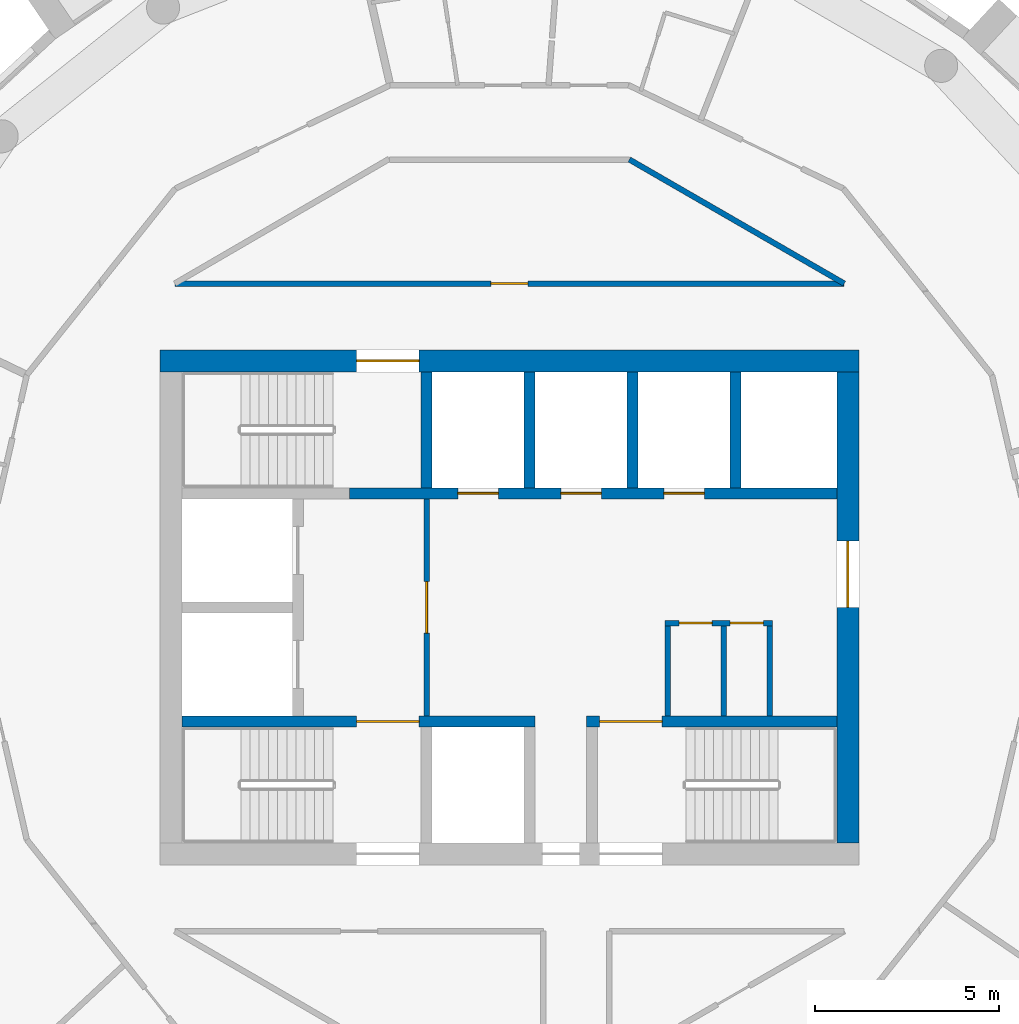
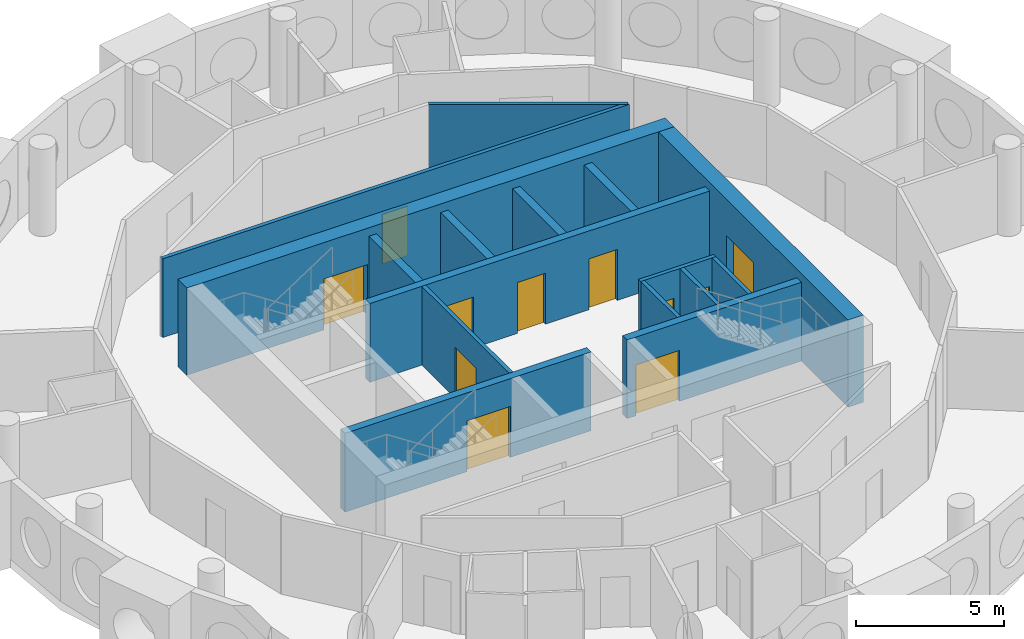
# One storey, part 8 of 13: 16 walls, 11 doors, 11 openings.
"""IFC4 building model written with IfcOpenShell, lengths in metres."""

from ifc_helpers import new_model, si_unit, direction, frame, frame_2d, origin, place, context, subcontext, project, spatial, rectangle, extrude, material, layer, layer_set, type_object, element, fill, save


model = new_model("IFC4")

# Units and contexts
model_context = context("Model", 3, precision=1e-05, world=origin(), true_north=direction((0.0, 1.0)))
body_context = subcontext(model_context, "Body", "Model", "MODEL_VIEW")
ifc_project = project(units=[si_unit("LENGTHUNIT", "METRE"), si_unit("AREAUNIT", "SQUARE_METRE"), si_unit("VOLUMEUNIT", "CUBIC_METRE"), si_unit("PLANEANGLEUNIT", "RADIAN"), si_unit("MASSUNIT", "GRAM", prefix="KILO")], contexts=[model_context])

# Site, building, storey
site_placement = place(None, origin())
site = spatial("IfcSite", under=ifc_project, at=site_placement, CompositionType="ELEMENT")
building_placement = place(site_placement, origin())
building = spatial("IfcBuilding", under=site, at=building_placement, Name="Tracery Tower", CompositionType="ELEMENT")
storey_placement = place(building_placement, frame((0.0, 0.0, 294.60009765625)))
storey = spatial("IfcBuildingStorey", under=building, at=storey_placement, Name="L76", CompositionType="ELEMENT", Elevation=294.60009765625)

# Wall, opening, door
ifc_material_1 = material(Name="Plasterboard on steel studs", Category="steel")
ifc_layer_1 = layer(ifc_material_1, 0.14990234375)
ifc_layer_set_1 = layer_set([ifc_layer_1], Name="Core lobby partition 150")
wall_type_1 = type_object("IfcWallType", Name="Core lobby partition 150", PredefinedType="SOLIDWALL", material=ifc_layer_set_1)
wall_1_placement = place(storey_placement, frame((-2.25, -2.949951171875, 0.0), z_axis=(0.0, 0.0, 1.0), x_axis=(0.0, 1.0, 0.0)))
wall_1 = element("IfcWall", 1, at=wall_1_placement, inside=storey, type_object=wall_type_1, Name="L76 FF lobby E", PredefinedType="SOLIDWALL", context=body_context, shape_type="SweptSolid", body=[
    extrude(rectangle(XDim=5.89990234375, YDim=0.14990234375, at=frame_2d((2.949951171875, 0.0))), origin(), (0.0, 0.0, 1.0), 3.25),
])
opening_1_placement = place(wall_1_placement, frame((2.25, 0.0, 0.0)))
opening_1 = element("IfcOpeningElement", 2, at=opening_1_placement, cuts=wall_1, Name="Opening KD8", PredefinedType="OPENING", context=body_context, shape_type="SweptSolid", body=[
    extrude(rectangle(XDim=1.39990234375, YDim=2.10009765625, at=frame_2d((0.699951171875, 1.050048828125))), frame((0.0, 0.074951171875, 0.0), z_axis=(0.0, -1.0, 0.0), x_axis=(1.0, 0.0, 0.0)), (0.0, 0.0, 1.0), 0.14990234375),
])
ifc_material_2 = material(Name="Steel fire door", Category="steel")
door_type_1 = type_object("IfcDoorType", Name="Core lobby door 1400 double", OperationType="NOTDEFINED", PredefinedType="DOOR", material=ifc_material_2)
door_1_placement = place(opening_1_placement, origin())
door_1 = element("IfcDoor", 3, at=door_1_placement, inside=storey, type_object=door_type_1, Name="Fire-fighting lobby door", OperationType="DOUBLE_DOOR_SINGLE_SWING", OverallHeight=2.10009765625, OverallWidth=1.39990234375, PredefinedType="DOOR", context=body_context, shape_type="SweptSolid", body=[
    extrude(rectangle(XDim=1.39990234375, YDim=2.10009765625, at=frame_2d((0.699951171875, 1.050048828125))), frame((0.0, 0.02490234375, 0.0), z_axis=(0.0, -1.0, 0.0), x_axis=(1.0, 0.0, 0.0)), (0.0, 0.0, 1.0), 0.050048828125),
])
fill(opening_1, door_1)

# Wall
ifc_material_3 = material(Name="Plasterboard on steel studs", Category="steel")
ifc_layer_2 = layer(ifc_material_3, 0.14990234375)
ifc_layer_set_2 = layer_set([ifc_layer_2], Name="Core room partition 150")
wall_type_2 = type_object("IfcWallType", Name="Core room partition 150", PredefinedType="SOLIDWALL", material=ifc_layer_set_2)
wall_2_placement = place(storey_placement, frame((4.300048828125, -2.949951171875, 0.0), z_axis=(0.0, 0.0, 1.0), x_axis=(0.0, 1.0, 0.0)))
element("IfcWall", 4, at=wall_2_placement, inside=storey, type_object=wall_type_2, Name="L76 slot W", PredefinedType="SOLIDWALL", context=body_context, shape_type="SweptSolid", body=[
    extrude(rectangle(XDim=2.449951171875, YDim=0.14990234375, at=frame_2d((1.22509765625, 0.0))), origin(), (0.0, 0.0, 1.0), 3.25),
])

# Wall, openings, doors
wall_3_placement = place(storey_placement, frame((4.22509765625, -0.425048828125, 0.0), z_axis=(0.0, 0.0, 1.0), x_axis=(1.0, 0.0, 0.0)))
wall_3 = element("IfcWall", 5, at=wall_3_placement, inside=storey, type_object=wall_type_2, Name="L76 slot N", PredefinedType="SOLIDWALL", context=body_context, shape_type="SweptSolid", body=[
    extrude(rectangle(XDim=2.9248046875, YDim=0.14990234375, at=frame_2d((1.46240234375, 0.0))), origin(), (0.0, 0.0, 1.0), 3.25),
])
opening_2_placement = place(wall_3_placement, frame((0.387451171875, 0.0, 0.0)))
opening_2 = element("IfcOpeningElement", 6, at=opening_2_placement, cuts=wall_3, Name="Opening KD22", PredefinedType="OPENING", context=body_context, shape_type="SweptSolid", body=[
    extrude(rectangle(XDim=0.89990234375, YDim=2.10009765625, at=frame_2d((0.449951171875, 1.050048828125))), frame((0.0, 0.074951171875, 0.0), z_axis=(0.0, -1.0, 0.0), x_axis=(1.0, 0.0, 0.0)), (0.0, 0.0, 1.0), 0.14990234375),
])
opening_3_placement = place(wall_3_placement, frame((1.77490234375, 0.0, 0.0)))
opening_3 = element("IfcOpeningElement", 7, at=opening_3_placement, cuts=wall_3, Name="Opening KD26", PredefinedType="OPENING", context=body_context, shape_type="SweptSolid", body=[
    extrude(rectangle(XDim=0.89990234375, YDim=2.10009765625, at=frame_2d((0.449951171875, 1.050048828125))), frame((0.0, 0.074951171875, 0.0), z_axis=(0.0, -1.0, 0.0), x_axis=(1.0, 0.0, 0.0)), (0.0, 0.0, 1.0), 0.14990234375),
])
ifc_material_4 = material(Name="Timber door leaf", Category="wood")
door_type_2 = type_object("IfcDoorType", Name="Core WC door 900", OperationType="NOTDEFINED", PredefinedType="DOOR", material=ifc_material_4)
door_2_placement = place(opening_2_placement, origin())
door_2 = element("IfcDoor", 8, at=door_2_placement, inside=storey, type_object=door_type_2, Name="Core door", OperationType="SINGLE_SWING_RIGHT", OverallHeight=2.10009765625, OverallWidth=0.89990234375, PredefinedType="DOOR", context=body_context, shape_type="SweptSolid", body=[
    extrude(rectangle(XDim=0.89990234375, YDim=2.10009765625, at=frame_2d((0.449951171875, 1.050048828125))), frame((0.0, 0.02490234375, 0.0), z_axis=(0.0, -1.0, 0.0), x_axis=(1.0, 0.0, 0.0)), (0.0, 0.0, 1.0), 0.050048828125),
])
fill(opening_2, door_2)
ifc_material_5 = material(Name="Timber door leaf", Category="wood")
door_type_3 = type_object("IfcDoorType", Name="Core store door 900", OperationType="NOTDEFINED", PredefinedType="DOOR", material=ifc_material_5)
door_3_placement = place(opening_3_placement, origin())
door_3 = element("IfcDoor", 9, at=door_3_placement, inside=storey, type_object=door_type_3, Name="Core door", OperationType="SINGLE_SWING_LEFT", OverallHeight=2.10009765625, OverallWidth=0.89990234375, PredefinedType="DOOR", context=body_context, shape_type="SweptSolid", body=[
    extrude(rectangle(XDim=0.89990234375, YDim=2.10009765625, at=frame_2d((0.449951171875, 1.050048828125))), frame((0.0, 0.02490234375, 0.0), z_axis=(0.0, -1.0, 0.0), x_axis=(1.0, 0.0, 0.0)), (0.0, 0.0, 1.0), 0.050048828125),
])
fill(opening_3, door_3)

# Walls
for number, where, z_axis, x_axis, name in (
    (10, (7.074951171875, -2.949951171875, 0.0), (0.0, 0.0, 1.0), (0.0, 1.0, 0.0), "L76 slot E"),
    (11, (5.824951171875, -2.949951171875, 0.0), (0.0, 0.0, 1.0), (0.0, 1.0, 0.0), "L76 slot sep 1"),
):
    element("IfcWall", number, at=place(storey_placement, frame(where, z_axis=z_axis, x_axis=x_axis)), inside=storey, type_object=wall_type_2, Name=name, PredefinedType="SOLIDWALL", context=body_context, shape_type="SweptSolid", body=[
        extrude(rectangle(XDim=2.449951171875, YDim=0.14990234375, at=frame_2d((1.22509765625, 0.0))), origin(), (0.0, 0.0, 1.0), 3.25),
    ])

# Wall, opening, door
ifc_material_6 = material(Name="Concrete C40/50", Category="concrete")
ifc_layer_3 = layer(ifc_material_6, 0.60009765625)
ifc_layer_set_3 = layer_set([ifc_layer_3], Name="Core wall 600 C40")
wall_type_3 = type_object("IfcWallType", Name="Core wall 600 C40", PredefinedType="SOLIDWALL", material=ifc_layer_set_3)
wall_4_placement = place(storey_placement, frame((-9.5, 6.699951171875, 0.0), z_axis=(0.0, 0.0, 1.0), x_axis=(1.0, 0.0, 0.0)))
wall_4 = element("IfcWall", 12, at=wall_4_placement, inside=storey, type_object=wall_type_3, Name="L76 outer N", PredefinedType="SOLIDWALL", context=body_context, shape_type="SweptSolid", body=[
    extrude(rectangle(XDim=19.0, YDim=0.60009765625, at=frame_2d((9.5, 0.0))), origin(), (0.0, 0.0, 1.0), 3.599853515625),
])
opening_4_placement = place(wall_4_placement, frame((5.35009765625, 0.0, 0.0)))
opening_4 = element("IfcOpeningElement", 13, at=opening_4_placement, cuts=wall_4, Name="Opening KD3", PredefinedType="OPENING", context=body_context, shape_type="SweptSolid", body=[
    extrude(rectangle(XDim=1.699951171875, YDim=2.10009765625, at=frame_2d((0.85009765625, 1.050048828125))), frame((0.0, 0.300048828125, 0.0), z_axis=(0.0, -1.0, 0.0), x_axis=(1.0, 0.0, 0.0)), (0.0, 0.0, 1.0), 0.60009765625),
])
ifc_material_7 = material(Name="Steel fire door", Category="steel")
door_type_4 = type_object("IfcDoorType", Name="Core stair door 1700 double", OperationType="NOTDEFINED", PredefinedType="DOOR", material=ifc_material_7)
door_4_placement = place(opening_4_placement, origin())
door_4 = element("IfcDoor", 14, at=door_4_placement, inside=storey, type_object=door_type_4, Name="Stair door ST3 exit", OperationType="DOUBLE_DOOR_SINGLE_SWING", OverallHeight=2.10009765625, OverallWidth=1.699951171875, PredefinedType="DOOR", context=body_context, shape_type="SweptSolid", body=[
    extrude(rectangle(XDim=1.699951171875, YDim=2.10009765625, at=frame_2d((0.85009765625, 1.050048828125))), frame((0.0, 0.02490234375, 0.0), z_axis=(0.0, -1.0, 0.0), x_axis=(1.0, 0.0, 0.0)), (0.0, 0.0, 1.0), 0.050048828125),
])
fill(opening_4, door_4)

wall_5_placement = place(storey_placement, frame((9.199951171875, -6.39990234375, 0.0), z_axis=(0.0, 0.0, 1.0), x_axis=(0.0, 1.0, 0.0)))
wall_5 = element("IfcWall", 15, at=wall_5_placement, inside=storey, type_object=wall_type_3, Name="L76 outer E", PredefinedType="SOLIDWALL", context=body_context, shape_type="SweptSolid", body=[
    extrude(rectangle(XDim=12.7998046875, YDim=0.60009765625, at=frame_2d((6.39990234375, 0.0))), origin(), (0.0, 0.0, 1.0), 3.599853515625),
])
opening_5_placement = place(wall_5_placement, frame((6.39990234375, 0.0, 0.0)))
opening_5 = element("IfcOpeningElement", 16, at=opening_5_placement, cuts=wall_5, Name="Opening KD13", PredefinedType="OPENING", context=body_context, shape_type="SweptSolid", body=[
    extrude(rectangle(XDim=1.800048828125, YDim=2.10009765625, at=frame_2d((0.89990234375, 1.050048828125))), frame((0.0, 0.300048828125, 0.0), z_axis=(0.0, -1.0, 0.0), x_axis=(1.0, 0.0, 0.0)), (0.0, 0.0, 1.0), 0.60009765625),
])
ifc_material_8 = material(Name="Steel fire door", Category="steel")
door_type_5 = type_object("IfcDoorType", Name="Core exit door 1800 double", OperationType="NOTDEFINED", PredefinedType="DOOR", material=ifc_material_8)
door_5_placement = place(opening_5_placement, origin())
door_5 = element("IfcDoor", 17, at=door_5_placement, inside=storey, type_object=door_type_5, Name="Core exit door", OperationType="DOUBLE_DOOR_SINGLE_SWING", OverallHeight=2.10009765625, OverallWidth=1.800048828125, PredefinedType="DOOR", context=body_context, shape_type="SweptSolid", body=[
    extrude(rectangle(XDim=1.800048828125, YDim=2.10009765625, at=frame_2d((0.89990234375, 1.050048828125))), frame((0.0, 0.02490234375, 0.0), z_axis=(0.0, -1.0, 0.0), x_axis=(1.0, 0.0, 0.0)), (0.0, 0.0, 1.0), 0.050048828125),
])
fill(opening_5, door_5)

ifc_material_9 = material(Name="Plasterboard on steel studs", Category="steel")
ifc_layer_4 = layer(ifc_material_9, 0.14990234375)
ifc_layer_set_4 = layer_set([ifc_layer_4], Name="Partition 150 corridor wall")
wall_type_4 = type_object("IfcWallType", Name="Partition 150 corridor wall", PredefinedType="PARTITIONING", material=ifc_layer_set_4)
wall_6_placement = place(storey_placement, frame((-9.092041015625, 8.800048828125, 0.0), z_axis=(0.0, 0.0, 1.0), x_axis=(1.0, 0.0, 0.0)))
wall_6 = element("IfcWall", 18, at=wall_6_placement, inside=storey, type_object=wall_type_4, Name="Corridor wall RC7-002", PredefinedType="PARTITIONING", context=body_context, shape_type="SweptSolid", body=[
    extrude(rectangle(XDim=18.192626953125, YDim=0.14990234375, at=frame_2d((9.09619140625, 0.0))), origin(), (0.0, 0.0, 1.0), 3.25),
])
opening_6_placement = place(wall_6_placement, frame((8.592041015625, 0.0, 0.0)))
opening_6 = element("IfcOpeningElement", 19, at=opening_6_placement, cuts=wall_6, Name="Opening RC7-01", PredefinedType="OPENING", context=body_context, shape_type="SweptSolid", body=[
    extrude(rectangle(XDim=1.0, YDim=2.0400390625, at=frame_2d((0.5, 1.02001953125))), frame((0.0, 0.074951171875, 0.0), z_axis=(0.0, -1.0, 0.0), x_axis=(1.0, 0.0, 0.0)), (0.0, 0.0, 1.0), 0.14990234375),
])
ifc_material_10 = material(Name="Timber door leaf", Category="wood")
door_type_6 = type_object("IfcDoorType", Name="Door communal room 1000", OperationType="NOTDEFINED", PredefinedType="DOOR", material=ifc_material_10)
door_6_placement = place(opening_6_placement, origin())
door_6 = element("IfcDoor", 20, at=door_6_placement, inside=storey, type_object=door_type_6, Name="Communal room door RC7-01", OperationType="SINGLE_SWING_RIGHT", OverallHeight=2.0400390625, OverallWidth=1.0, PredefinedType="DOOR", context=body_context, shape_type="SweptSolid", body=[
    extrude(rectangle(XDim=1.0, YDim=2.0400390625, at=frame_2d((0.5, 1.02001953125))), frame((0.0, 0.02490234375, 0.0), z_axis=(0.0, -1.0, 0.0), x_axis=(1.0, 0.0, 0.0)), (0.0, 0.0, 1.0), 0.050048828125),
])
fill(opening_6, door_6)

# Walls
wall_7_placement = place(storey_placement, frame((3.260986328125, 12.1708984375, 0.0), z_axis=(0.0, 0.0, 1.0), x_axis=(0.866066809554, -0.499928276245, 0.0)))
element("IfcWall", 21, at=wall_7_placement, inside=storey, type_object=wall_type_4, Name="Corridor wall RC7-024", PredefinedType="PARTITIONING", context=body_context, shape_type="SweptSolid", body=[
    extrude(rectangle(XDim=6.74267578125, YDim=0.14990234375, at=frame_2d((3.371337890625, 0.0))), origin(), (0.0, 0.0, 1.0), 3.25),
])
ifc_material_11 = material(Name="Concrete C40/50", Category="concrete")
ifc_layer_5 = layer(ifc_material_11, 0.300048828125)
ifc_layer_set_5 = layer_set([ifc_layer_5], Name="Shaft wall 300 C40")
wall_type_5 = type_object("IfcWallType", Name="Shaft wall 300 C40", PredefinedType="SOLIDWALL", material=ifc_layer_set_5)
for number, where, z_axis, x_axis, name in (
    (22, (0.550048828125, 3.25, 0.0), (0.0, 0.0, 1.0), (0.0, 1.0, 0.0), "L76 HR sep 1"),
    (23, (3.35009765625, 3.25, 0.0), (0.0, 0.0, 1.0), (0.0, 1.0, 0.0), "L76 HR sep 2"),
    (24, (6.14990234375, 3.25, 0.0), (0.0, 0.0, 1.0), (0.0, 1.0, 0.0), "L76 HR sep 3"),
):
    element("IfcWall", number, at=place(storey_placement, frame(where, z_axis=z_axis, x_axis=x_axis)), inside=storey, type_object=wall_type_5, Name=name, PredefinedType="SOLIDWALL", context=body_context, shape_type="SweptSolid", body=[
        extrude(rectangle(XDim=3.14990234375, YDim=0.300048828125, at=frame_2d((1.574951171875, 0.0))), origin(), (0.0, 0.0, 1.0), 3.25),
    ])

# Wall, opening, door
ifc_material_12 = material(Name="Concrete C40/50", Category="concrete")
ifc_layer_6 = layer(ifc_material_12, 0.300048828125)
ifc_layer_set_6 = layer_set([ifc_layer_6], Name="Stair wall 300 C40")
wall_type_6 = type_object("IfcWallType", Name="Stair wall 300 C40", PredefinedType="SOLIDWALL", material=ifc_layer_set_6)
wall_8_placement = place(storey_placement, frame((-8.89990234375, -3.10009765625, 0.0), z_axis=(0.0, 0.0, 1.0), x_axis=(1.0, 0.0, 0.0)))
wall_8 = element("IfcWall", 25, at=wall_8_placement, inside=storey, type_object=wall_type_6, Name="L76 row S", PredefinedType="SOLIDWALL", context=body_context, shape_type="SweptSolid", body=[
    extrude(rectangle(XDim=9.599853515625, YDim=0.300048828125, at=frame_2d((4.7998046875, 0.0))), origin(), (0.0, 0.0, 1.0), 3.25),
])
opening_7_placement = place(wall_8_placement, frame((4.75, 0.0, 0.0)))
opening_7 = element("IfcOpeningElement", 26, at=opening_7_placement, cuts=wall_8, Name="Opening KD3", PredefinedType="OPENING", context=body_context, shape_type="SweptSolid", body=[
    extrude(rectangle(XDim=1.699951171875, YDim=2.10009765625, at=frame_2d((0.85009765625, 1.050048828125))), frame((0.0, 0.14990234375, 0.0), z_axis=(0.0, -1.0, 0.0), x_axis=(1.0, 0.0, 0.0)), (0.0, 0.0, 1.0), 0.300048828125),
])
door_7_placement = place(opening_7_placement, origin())
door_7 = element("IfcDoor", 27, at=door_7_placement, inside=storey, type_object=door_type_4, Name="Stair door ST1", OperationType="DOUBLE_DOOR_SINGLE_SWING", OverallHeight=2.10009765625, OverallWidth=1.699951171875, PredefinedType="DOOR", context=body_context, shape_type="SweptSolid", body=[
    extrude(rectangle(XDim=1.699951171875, YDim=2.10009765625, at=frame_2d((0.85009765625, 1.050048828125))), frame((0.0, 0.02490234375, 0.0), z_axis=(0.0, -1.0, 0.0), x_axis=(1.0, 0.0, 0.0)), (0.0, 0.0, 1.0), 0.050048828125),
])
fill(opening_7, door_7)

wall_9_placement = place(storey_placement, frame((2.10009765625, -3.10009765625, 0.0), z_axis=(0.0, 0.0, 1.0), x_axis=(1.0, 0.0, 0.0)))
wall_9 = element("IfcWall", 28, at=wall_9_placement, inside=storey, type_object=wall_type_6, Name="L76 row S E", PredefinedType="SOLIDWALL", context=body_context, shape_type="SweptSolid", body=[
    extrude(rectangle(XDim=6.7998046875, YDim=0.300048828125, at=frame_2d((3.39990234375, 0.0))), origin(), (0.0, 0.0, 1.0), 3.25),
])
opening_8_placement = place(wall_9_placement, frame((0.35009765625, 0.0, 0.0)))
opening_8 = element("IfcOpeningElement", 29, at=opening_8_placement, cuts=wall_9, Name="Opening KD3", PredefinedType="OPENING", context=body_context, shape_type="SweptSolid", body=[
    extrude(rectangle(XDim=1.699951171875, YDim=2.10009765625, at=frame_2d((0.85009765625, 1.050048828125))), frame((0.0, 0.14990234375, 0.0), z_axis=(0.0, -1.0, 0.0), x_axis=(1.0, 0.0, 0.0)), (0.0, 0.0, 1.0), 0.300048828125),
])
door_8_placement = place(opening_8_placement, origin())
door_8 = element("IfcDoor", 30, at=door_8_placement, inside=storey, type_object=door_type_4, Name="Stair door ST2", OperationType="DOUBLE_DOOR_SINGLE_SWING", OverallHeight=2.10009765625, OverallWidth=1.699951171875, PredefinedType="DOOR", context=body_context, shape_type="SweptSolid", body=[
    extrude(rectangle(XDim=1.699951171875, YDim=2.10009765625, at=frame_2d((0.85009765625, 1.050048828125))), frame((0.0, 0.02490234375, 0.0), z_axis=(0.0, -1.0, 0.0), x_axis=(1.0, 0.0, 0.0)), (0.0, 0.0, 1.0), 0.050048828125),
])
fill(opening_8, door_8)

# Wall, openings, doors
wall_10_placement = place(storey_placement, frame((-4.35009765625, 3.10009765625, 0.0), z_axis=(0.0, 0.0, 1.0), x_axis=(1.0, 0.0, 0.0)))
wall_10 = element("IfcWall", 31, at=wall_10_placement, inside=storey, type_object=wall_type_6, Name="L76 row N", PredefinedType="SOLIDWALL", context=body_context, shape_type="SweptSolid", body=[
    extrude(rectangle(XDim=13.25, YDim=0.300048828125, at=frame_2d((6.625, 0.0))), origin(), (0.0, 0.0, 1.0), 3.25),
])
opening_9_placement = place(wall_10_placement, frame((2.949951171875, 0.0, 0.0)))
opening_9 = element("IfcOpeningElement", 32, at=opening_9_placement, cuts=wall_10, Name="Opening KD49", PredefinedType="OPENING", context=body_context, shape_type="SweptSolid", body=[
    extrude(rectangle(XDim=1.10009765625, YDim=2.10009765625, at=frame_2d((0.550048828125, 1.050048828125))), frame((0.0, 0.14990234375, 0.0), z_axis=(0.0, -1.0, 0.0), x_axis=(1.0, 0.0, 0.0)), (0.0, 0.0, 1.0), 0.300048828125),
])
opening_10_placement = place(wall_10_placement, frame((5.75, 0.0, 0.0)))
opening_10 = element("IfcOpeningElement", 33, at=opening_10_placement, cuts=wall_10, Name="Opening KD50", PredefinedType="OPENING", context=body_context, shape_type="SweptSolid", body=[
    extrude(rectangle(XDim=1.10009765625, YDim=2.10009765625, at=frame_2d((0.550048828125, 1.050048828125))), frame((0.0, 0.14990234375, 0.0), z_axis=(0.0, -1.0, 0.0), x_axis=(1.0, 0.0, 0.0)), (0.0, 0.0, 1.0), 0.300048828125),
])
opening_11_placement = place(wall_10_placement, frame((8.550048828125, 0.0, 0.0)))
opening_11 = element("IfcOpeningElement", 34, at=opening_11_placement, cuts=wall_10, Name="Opening KD49", PredefinedType="OPENING", context=body_context, shape_type="SweptSolid", body=[
    extrude(rectangle(XDim=1.10009765625, YDim=2.10009765625, at=frame_2d((0.550048828125, 1.050048828125))), frame((0.0, 0.14990234375, 0.0), z_axis=(0.0, -1.0, 0.0), x_axis=(1.0, 0.0, 0.0)), (0.0, 0.0, 1.0), 0.300048828125),
])
ifc_material_13 = material(Name="Steel fire door", Category="steel")
door_type_7 = type_object("IfcDoorType", Name="Landing door 1100", OperationType="NOTDEFINED", PredefinedType="DOOR", material=ifc_material_13)
door_9_placement = place(opening_9_placement, origin())
door_9 = element("IfcDoor", 35, at=door_9_placement, inside=storey, type_object=door_type_7, Name="Landing door HR1", OperationType="SLIDING_TO_LEFT", OverallHeight=2.10009765625, OverallWidth=1.10009765625, PredefinedType="DOOR", context=body_context, shape_type="SweptSolid", body=[
    extrude(rectangle(XDim=1.10009765625, YDim=2.10009765625, at=frame_2d((0.550048828125, 1.050048828125))), frame((0.0, 0.02490234375, 0.0), z_axis=(0.0, -1.0, 0.0), x_axis=(1.0, 0.0, 0.0)), (0.0, 0.0, 1.0), 0.050048828125),
])
fill(opening_9, door_9)
door_10_placement = place(opening_10_placement, origin())
door_10 = element("IfcDoor", 36, at=door_10_placement, inside=storey, type_object=door_type_7, Name="Landing door HR2", OperationType="SLIDING_TO_RIGHT", OverallHeight=2.10009765625, OverallWidth=1.10009765625, PredefinedType="DOOR", context=body_context, shape_type="SweptSolid", body=[
    extrude(rectangle(XDim=1.10009765625, YDim=2.10009765625, at=frame_2d((0.550048828125, 1.050048828125))), frame((0.0, 0.02490234375, 0.0), z_axis=(0.0, -1.0, 0.0), x_axis=(1.0, 0.0, 0.0)), (0.0, 0.0, 1.0), 0.050048828125),
])
fill(opening_10, door_10)
door_11_placement = place(opening_11_placement, origin())
door_11 = element("IfcDoor", 37, at=door_11_placement, inside=storey, type_object=door_type_7, Name="Landing door HR3", OperationType="SLIDING_TO_LEFT", OverallHeight=2.10009765625, OverallWidth=1.10009765625, PredefinedType="DOOR", context=body_context, shape_type="SweptSolid", body=[
    extrude(rectangle(XDim=1.10009765625, YDim=2.10009765625, at=frame_2d((0.550048828125, 1.050048828125))), frame((0.0, 0.02490234375, 0.0), z_axis=(0.0, -1.0, 0.0), x_axis=(1.0, 0.0, 0.0)), (0.0, 0.0, 1.0), 0.050048828125),
])
fill(opening_11, door_11)

# Wall
wall_11_placement = place(storey_placement, frame((-2.25, 3.25, 0.0), z_axis=(0.0, 0.0, 1.0), x_axis=(0.0, 1.0, 0.0)))
element("IfcWall", 38, at=wall_11_placement, inside=storey, type_object=wall_type_6, Name="L76 ST3 E", PredefinedType="SOLIDWALL", context=body_context, shape_type="SweptSolid", body=[
    extrude(rectangle(XDim=3.14990234375, YDim=0.300048828125, at=frame_2d((1.574951171875, 0.0))), origin(), (0.0, 0.0, 1.0), 3.25),
])

save(model, "model.ifc")
